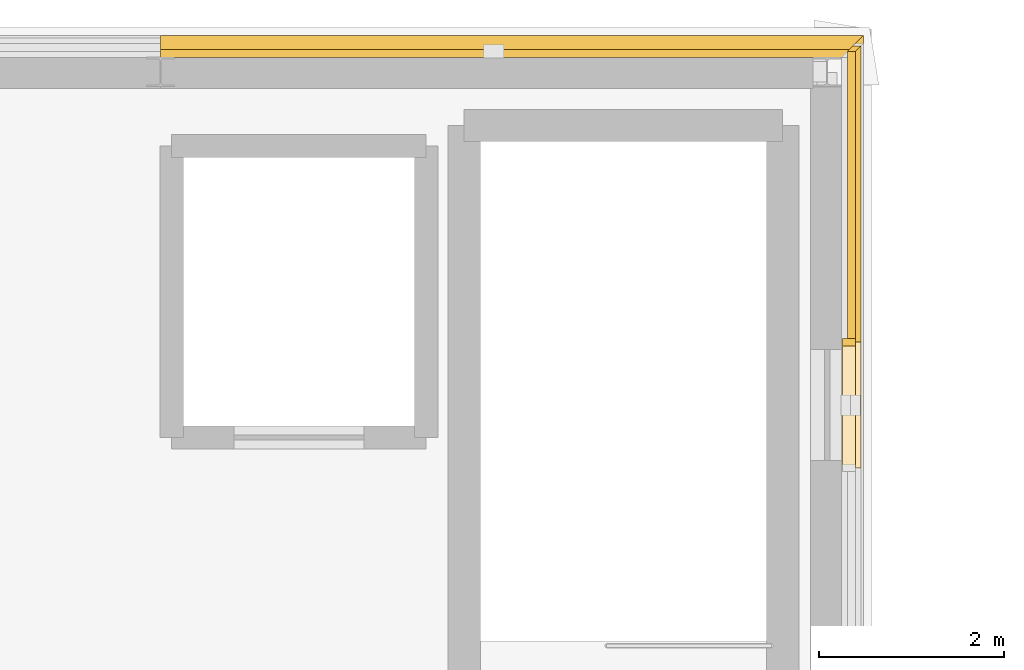
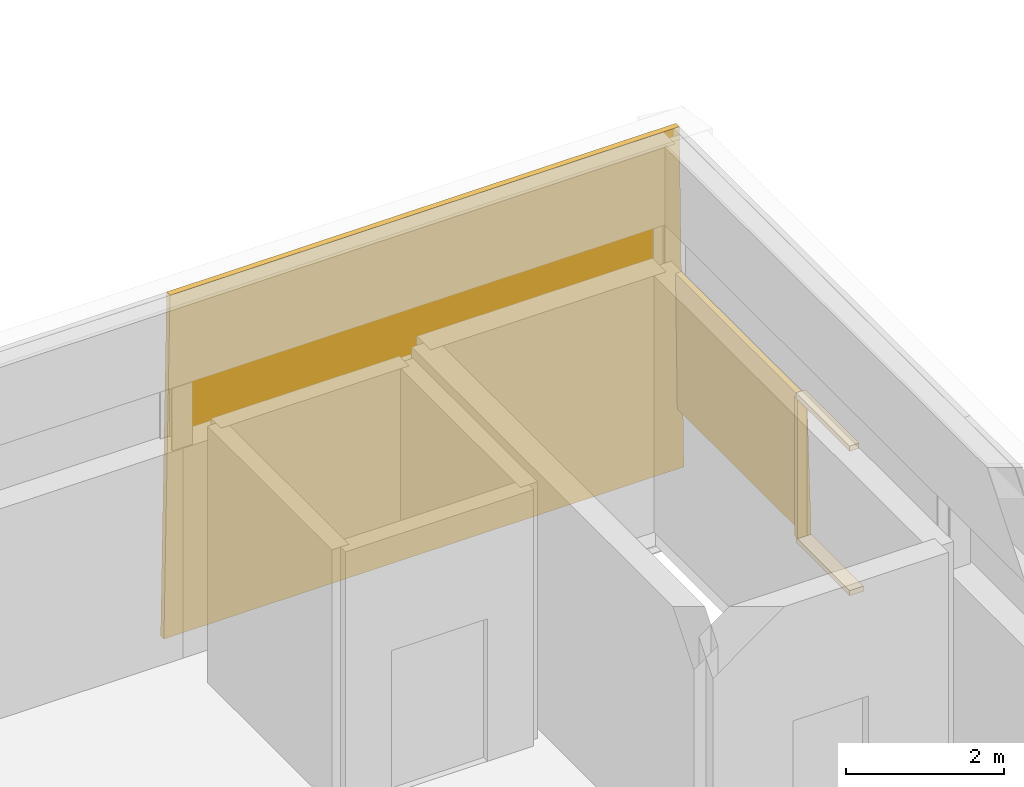
# One storey, part 43 of 44: 5 coverings.
"""IFC4 building model written with IfcOpenShell, lengths in metres."""

from ifc_helpers import new_model, si_unit, direction, frame, origin, place, context, subcontext, project, spatial, polyline, outline, extrude, material, layer, layer_set, type_object, element, save


model = new_model("IFC4")

# Units and contexts
model_context = context("Model", 3, precision=1e-05, world=origin(), true_north=direction((0.0, 1.0)))
body_context = subcontext(model_context, "Body", "Model", "MODEL_VIEW")
ifc_project = project(units=[si_unit("LENGTHUNIT", "METRE"), si_unit("AREAUNIT", "SQUARE_METRE"), si_unit("VOLUMEUNIT", "CUBIC_METRE"), si_unit("PLANEANGLEUNIT", "RADIAN"), si_unit("MASSUNIT", "GRAM", prefix="KILO")], contexts=[model_context])

# Site, building, storey
site_placement = place(None, origin())
site = spatial("IfcSite", under=ifc_project, at=site_placement, CompositionType="ELEMENT")
building_placement = place(site_placement, origin())
building = spatial("IfcBuilding", under=site, at=building_placement, Name="Narikvali Park Central Library", CompositionType="ELEMENT")
storey_placement = place(building_placement, frame((0.0, 0.0, 22.800048828125)))
storey = spatial("IfcBuildingStorey", under=building, at=storey_placement, Name="L05", CompositionType="ELEMENT", Elevation=22.800048828125)

# Coverings
ifc_material = material(Name="White Honed Limestone Cladding", Category="masonry")
ifc_layer_1 = layer(ifc_material, 0.0849609375, Name="White Honed Limestone Cladding")
ifc_layer_set_1 = layer_set([ifc_layer_1], Name="White Honed Limestone Cladding")
covering_type_1 = type_object("IfcCoveringType", Name="Battered White Limestone Facade Cladding Panel", PredefinedType="CLADDING", material=ifc_layer_set_1)
covering_1_placement = place(storey_placement, frame((21.96630859375, 105.0400390625, 0.949951171875), z_axis=(0.99959725493, 0.0, 0.028378300447), x_axis=(0.0, 1.0, 0.0)))
element("IfcCovering", 1, at=covering_1_placement, inside=storey, type_object=covering_type_1, Name="V5 L05 E Battered Limestone Jamb Pier R B09", PredefinedType="CLADDING", context=body_context, shape_type="SweptSolid", body=[
    extrude(outline(polyline([(0.0, 0.0), (3.2412109375, 0.0), (3.18017578125, 2.150768555182125), (0.0, 2.150768555182125), (0.0, 0.0)])), origin(), (0.0, 0.0, -1.0), 0.0849609375),
])
covering_2_placement = place(storey_placement, frame((21.9931640625, 108.393310546875, 0.0), z_axis=(0.0, 0.999597157674, 0.028381725971), x_axis=(-1.0, 0.0, 0.0)))
element("IfcCovering", 2, at=covering_2_placement, inside=storey, type_object=covering_type_1, Name="V5 L05 N Battered Limestone Panel B01", PredefinedType="CLADDING", context=body_context, shape_type="SweptSolid", body=[
    extrude(outline(polyline([(0.0, 0.0), (7.59326171875, 0.0), (7.59326171875, 5.402078529627447), (0.153076171875, 5.402078529627447), (0.0, 0.0)])), origin(), (0.0, 0.0, -1.0), 0.0849609375),
])
ifc_layer_2 = layer(ifc_material, 0.080078125, Name="White Honed Limestone Cladding")
ifc_layer_set_2 = layer_set([ifc_layer_2], Name="White Honed Limestone Cladding")
covering_type_2 = type_object("IfcCoveringType", Name="Deep Carved White Limestone Window Reveal", PredefinedType="CLADDING", material=ifc_layer_set_2)
covering_3_placement = place(storey_placement, frame((0.0, 0.0, 3.099853515625)))
element("IfcCovering", 3, at=covering_3_placement, inside=storey, type_object=covering_type_2, Name="Deep Stone Reveal Head V5-RVL-L05-E-B09", PredefinedType="CLADDING", context=body_context, shape_type="SweptSolid", body=[
    extrude(outline(polyline([(21.764892578125, 103.719970703125), (21.764892578125, 105.080078125), (21.9052734375, 105.080078125), (21.9052734375, 103.719970703125), (21.764892578125, 103.719970703125)])), origin(), (0.0, 0.0, 1.0), 0.080078125),
])
covering_4_placement = place(storey_placement, frame((0.0, 0.0, 0.869873046875)))
element("IfcCovering", 4, at=covering_4_placement, inside=storey, type_object=covering_type_2, Name="Deep Stone Reveal Sill V5-RVL-L05-E-B09", PredefinedType="CLADDING", context=body_context, shape_type="SweptSolid", body=[
    extrude(outline(polyline([(21.764892578125, 103.719970703125), (21.764892578125, 105.080078125), (21.96630859375, 105.080078125), (21.96630859375, 103.719970703125), (21.764892578125, 103.719970703125)])), origin(), (0.0, 0.0, 1.0), 0.080078125),
])
covering_5_placement = place(storey_placement, frame((0.0, 0.0, 0.949951171875)))
element("IfcCovering", 5, at=covering_5_placement, inside=storey, type_object=covering_type_2, Name="Deep Stone Reveal Jamb R V5-RVL-L05-E-B09", PredefinedType="CLADDING", context=body_context, shape_type="SweptSolid", body=[
    extrude(outline(polyline([(21.764892578125, 105.0400390625), (21.764892578125, 105.1201171875), (21.9052734375, 105.1201171875), (21.9052734375, 105.0400390625), (21.764892578125, 105.0400390625)])), origin(), (0.0, 0.0, 1.0), 2.14990234375),
])

save(model, "model.ifc")
